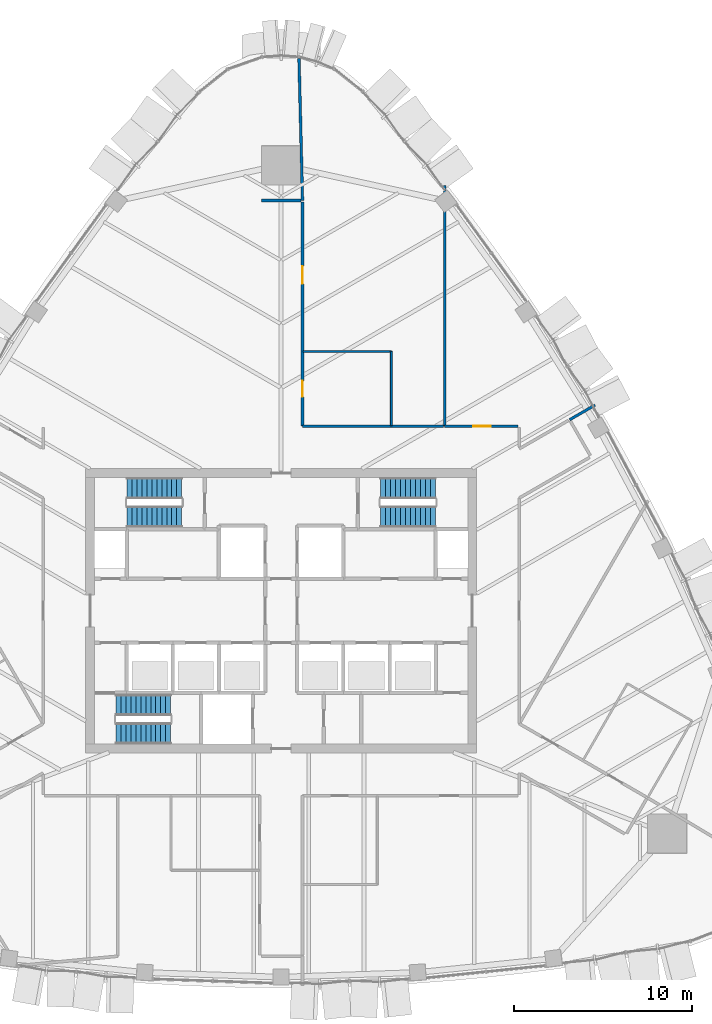
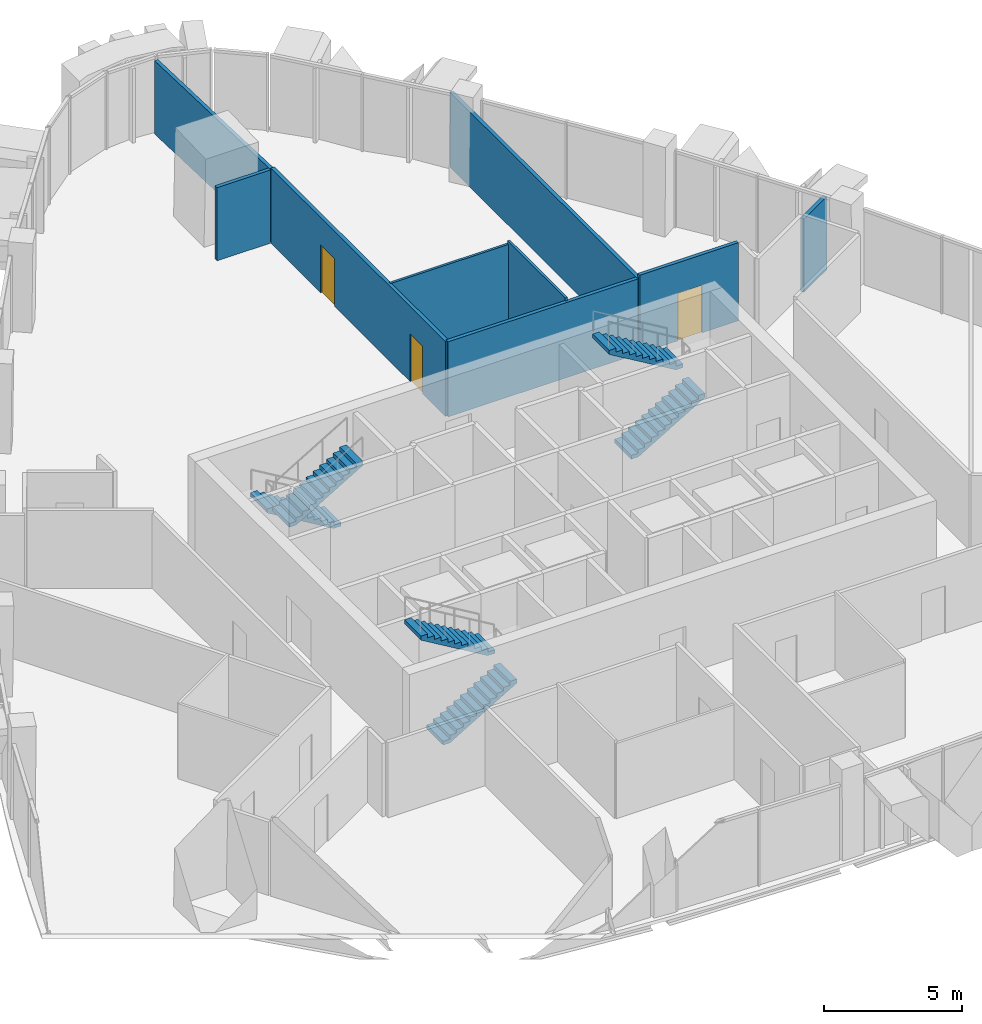
# One storey, part 14 of 18: 9 walls, 6 stair flights, 3 doors, 3 openings, 3 elements without a shape of their own.
"""IFC4 building model written with IfcOpenShell, lengths in metres."""

from ifc_helpers import new_model, si_unit, direction, frame, frame_2d, origin, place, context, subcontext, project, spatial, polyline, rectangle, outline, extrude, material, layer, layer_set, type_object, element, fill, aggregate, save


model = new_model("IFC4")

# Units and contexts
model_context = context("Model", 3, precision=1e-05, world=origin(), true_north=direction((0.0, 1.0)))
body_context = subcontext(model_context, "Body", "Model", "MODEL_VIEW")
ifc_project = project(units=[si_unit("LENGTHUNIT", "METRE"), si_unit("AREAUNIT", "SQUARE_METRE"), si_unit("VOLUMEUNIT", "CUBIC_METRE"), si_unit("PLANEANGLEUNIT", "RADIAN"), si_unit("MASSUNIT", "GRAM", prefix="KILO")], contexts=[model_context])

# Site, building, storey
site_placement = place(None, origin())
site = spatial("IfcSite", under=ifc_project, at=site_placement, CompositionType="ELEMENT")
building_placement = place(site_placement, origin())
building = spatial("IfcBuilding", under=site, at=building_placement, Name="Sierra Prisma Convention Tower", CompositionType="ELEMENT")
storey_placement = place(building_placement, frame((0.0, 0.0, 251.0)))
storey = spatial("IfcBuildingStorey", under=building, at=storey_placement, Name="L56", CompositionType="ELEMENT", Elevation=251.0)

# Walls
ifc_material_1 = material(Name="Gypsum board partition", Category="gypsum")
ifc_layer_1 = layer(ifc_material_1, 0.10009765625)
ifc_layer_set_1 = layer_set([ifc_layer_1], Name="Bathroom partition 100")
wall_type_1 = type_object("IfcWallType", Name="Bathroom partition 100", PredefinedType="PARTITIONING", material=ifc_layer_set_1)
wall_1_placement = place(storey_placement, frame((1.22998046875, 14.60009765625, 0.0), z_axis=(0.0, 0.0, 1.0), x_axis=(1.0, 0.0, 0.0)))
element("IfcWall", 1, at=wall_1_placement, inside=storey, type_object=wall_type_1, Name="Partition L56 bath 7", PredefinedType="PARTITIONING", context=body_context, shape_type="SweptSolid", body=[
    extrude(rectangle(XDim=4.969970703125, YDim=0.10009765625, at=frame_2d((2.48486328125, 0.0))), origin(), (0.0, 0.0, 1.0), 3.31689453125),
])
wall_2_placement = place(storey_placement, frame((6.199951171875, 14.60009765625, 0.0), z_axis=(0.0, 0.0, 1.0), x_axis=(0.0, -1.0, 0.0)))
element("IfcWall", 2, at=wall_2_placement, inside=storey, type_object=wall_type_1, Name="Partition L56 bath 8", PredefinedType="PARTITIONING", context=body_context, shape_type="SweptSolid", body=[
    extrude(rectangle(XDim=4.170166015625, YDim=0.10009765625, at=frame_2d((2.0849609375, 0.0))), origin(), (0.0, 0.0, 1.0), 3.449951171875),
])
ifc_material_2 = material(Name="Gypsum board partition", Category="gypsum")
ifc_layer_2 = layer(ifc_material_2, 0.14990234375)
ifc_layer_set_2 = layer_set([ifc_layer_2], Name="Corridor wall 150 gypsum EI 60")
wall_type_2 = type_object("IfcWallType", Name="Corridor wall 150 gypsum EI 60", PredefinedType="PARTITIONING", material=ifc_layer_set_2)
wall_3_placement = place(storey_placement, frame((1.1201171875, 23.096923828125, 0.0), z_axis=(0.0, 0.0, 1.0), x_axis=(-1.0, 0.0, 0.0)))
element("IfcWall", 3, at=wall_3_placement, inside=storey, type_object=wall_type_2, Name="Partition L56 corr 13", PredefinedType="PARTITIONING", context=body_context, shape_type="SweptSolid", body=[
    extrude(rectangle(XDim=2.240234375, YDim=0.14990234375, at=frame_2d((1.1201171875, 0.0))), origin(), (0.0, 0.0, 1.0), 3.23291015625),
])
wall_4_placement = place(storey_placement, frame((9.1201171875, 10.39990234375, 0.0), z_axis=(0.0, 0.0, 1.0), x_axis=(-1.0, 0.0, 0.0)))
element("IfcWall", 4, at=wall_4_placement, inside=storey, type_object=wall_type_2, Name="Partition L56 corr 16", PredefinedType="PARTITIONING", context=body_context, shape_type="SweptSolid", body=[
    extrude(rectangle(XDim=7.920166015625, YDim=0.14990234375, at=frame_2d((3.9599609375, 0.0))), origin(), (0.0, 0.0, 1.0), 3.31689453125),
])

# Wall, openings, doors
wall_5_placement = place(storey_placement, frame((1.199951171875, 10.39990234375, 0.0), z_axis=(0.0, 0.0, 1.0), x_axis=(0.0, 1.0, 0.0)))
wall_5 = element("IfcWall", 5, at=wall_5_placement, inside=storey, type_object=wall_type_2, Name="Partition L56 corr 17", PredefinedType="PARTITIONING", context=body_context, shape_type="SweptSolid", body=[
    extrude(rectangle(XDim=12.6171875, YDim=0.14990234375, at=frame_2d((6.30859375, 0.0))), origin(), (0.0, 0.0, 1.0), 3.31689453125),
])
opening_1_placement = place(wall_5_placement, frame((1.64990234375, 0.0, 0.0)))
opening_1 = element("IfcOpeningElement", 6, at=opening_1_placement, cuts=wall_5, Name="Opening L56-D027", PredefinedType="OPENING", context=body_context, shape_type="SweptSolid", body=[
    extrude(rectangle(XDim=0.89990234375, YDim=2.10009765625, at=frame_2d((0.449951171875, 1.050048828125))), frame((0.0, 0.074951171875, 0.0), z_axis=(0.0, -1.0, 0.0), x_axis=(1.0, 0.0, 0.0)), (0.0, 0.0, 1.0), 0.14990234375),
])
opening_2_placement = place(wall_5_placement, frame((8.008544921875, 0.0, 0.0)))
opening_2 = element("IfcOpeningElement", 7, at=opening_2_placement, cuts=wall_5, Name="Opening L56-D028", PredefinedType="OPENING", context=body_context, shape_type="SweptSolid", body=[
    extrude(rectangle(XDim=1.0, YDim=2.10009765625, at=frame_2d((0.5, 1.050048828125))), frame((0.0, 0.074951171875, 0.0), z_axis=(0.0, -1.0, 0.0), x_axis=(1.0, 0.0, 0.0)), (0.0, 0.0, 1.0), 0.14990234375),
])
ifc_material_3 = material(Name="Steel fire door leaf", Category="steel")
door_type_1 = type_object("IfcDoorType", Name="Door 1000x2100 FD30S", OperationType="SINGLE_SWING_LEFT", PredefinedType="DOOR", material=ifc_material_3)
door_1_placement = place(opening_2_placement, origin())
door_1 = element("IfcDoor", 8, at=door_1_placement, inside=storey, type_object=door_type_1, Name="Door L56 4", OperationType="SINGLE_SWING_LEFT", OverallHeight=2.10009765625, OverallWidth=1.0, PredefinedType="DOOR", context=body_context, shape_type="SweptSolid", body=[
    extrude(rectangle(XDim=1.0, YDim=2.10009765625, at=frame_2d((0.5, 1.050048828125))), frame((0.0, 0.02490234375, 0.0), z_axis=(0.0, -1.0, 0.0), x_axis=(1.0, 0.0, 0.0)), (0.0, 0.0, 1.0), 0.050048828125),
])
fill(opening_2, door_1)
ifc_material_4 = material(Name="Steel fire door leaf", Category="steel")
door_type_2 = type_object("IfcDoorType", Name="Door 900x2100 FD30S", OperationType="SINGLE_SWING_LEFT", PredefinedType="DOOR", material=ifc_material_4)
door_2_placement = place(opening_1_placement, origin())
door_2 = element("IfcDoor", 9, at=door_2_placement, inside=storey, type_object=door_type_2, Name="Door L56 3", OperationType="SINGLE_SWING_LEFT", OverallHeight=2.10009765625, OverallWidth=0.89990234375, PredefinedType="DOOR", context=body_context, shape_type="SweptSolid", body=[
    extrude(rectangle(XDim=0.89990234375, YDim=2.10009765625, at=frame_2d((0.449951171875, 1.050048828125))), frame((0.0, 0.02490234375, 0.0), z_axis=(0.0, -1.0, 0.0), x_axis=(1.0, 0.0, 0.0)), (0.0, 0.0, 1.0), 0.050048828125),
])
fill(opening_1, door_2)

# Wall, opening, door
wall_6_placement = place(storey_placement, frame((13.320068359375, 10.39990234375, 0.0), z_axis=(0.0, 0.0, 1.0), x_axis=(-1.0, 0.0, 0.0)))
wall_6 = element("IfcWall", 10, at=wall_6_placement, inside=storey, type_object=wall_type_2, Name="Partition L56 corr 18", PredefinedType="PARTITIONING", context=body_context, shape_type="SweptSolid", body=[
    extrude(rectangle(XDim=4.1201171875, YDim=0.14990234375, at=frame_2d((2.06005859375, 0.0))), origin(), (0.0, 0.0, 1.0), 3.449951171875),
])
opening_3_placement = place(wall_6_placement, frame((1.52001953125, 0.0, 0.0)))
opening_3 = element("IfcOpeningElement", 11, at=opening_3_placement, cuts=wall_6, Name="Opening L56-D026", PredefinedType="OPENING", context=body_context, shape_type="SweptSolid", body=[
    extrude(rectangle(XDim=1.0, YDim=2.10009765625, at=frame_2d((0.5, 1.050048828125))), frame((0.0, 0.074951171875, 0.0), z_axis=(0.0, -1.0, 0.0), x_axis=(1.0, 0.0, 0.0)), (0.0, 0.0, 1.0), 0.14990234375),
])
door_3_placement = place(opening_3_placement, origin())
door_3 = element("IfcDoor", 12, at=door_3_placement, inside=storey, type_object=door_type_1, Name="Door L56 2", OperationType="SINGLE_SWING_LEFT", OverallHeight=2.10009765625, OverallWidth=1.0, PredefinedType="DOOR", context=body_context, shape_type="SweptSolid", body=[
    extrude(rectangle(XDim=1.0, YDim=2.10009765625, at=frame_2d((0.5, 1.050048828125))), frame((0.0, 0.02490234375, 0.0), z_axis=(0.0, -1.0, 0.0), x_axis=(1.0, 0.0, 0.0)), (0.0, 0.0, 1.0), 0.050048828125),
])
fill(opening_3, door_3)

# Walls
ifc_material_5 = material(Name="Gypsum board partition", Category="gypsum")
ifc_layer_3 = layer(ifc_material_5, 0.14990234375)
ifc_layer_set_3 = layer_set([ifc_layer_3], Name="Party wall 150 gypsum")
wall_type_3 = type_object("IfcWallType", Name="Party wall 150 gypsum", PredefinedType="PARTITIONING", material=ifc_layer_set_3)
wall_7_placement = place(storey_placement, frame((1.199951171875, 23.096923828125, 0.0), z_axis=(0.0, 0.0, 1.0), x_axis=(-0.024952511821, 0.999688637604, 0.0)))
element("IfcWall", 13, at=wall_7_placement, inside=storey, type_object=wall_type_3, Name="Partition L56 party 8", PredefinedType="PARTITIONING", context=body_context, shape_type="SweptSolid", body=[
    extrude(rectangle(XDim=7.99365234375, YDim=0.14990234375, at=frame_2d((3.996826171875, 0.0))), origin(), (0.0, 0.0, 1.0), 3.23388671875),
])
wall_8_placement = place(storey_placement, frame((9.199951171875, 10.39990234375, 0.0), z_axis=(0.0, 0.0, 1.0), x_axis=(0.0, 1.0, 0.0)))
element("IfcWall", 14, at=wall_8_placement, inside=storey, type_object=wall_type_3, Name="Partition L56 party 9", PredefinedType="PARTITIONING", context=body_context, shape_type="SweptSolid", body=[
    extrude(rectangle(XDim=13.53271484375, YDim=0.14990234375, at=frame_2d((6.766357421875, 0.0))), origin(), (0.0, 0.0, 1.0), 3.31689453125),
])
wall_9_placement = place(storey_placement, frame((16.230712890625, 10.75634765625, 0.0), z_axis=(0.0, 0.0, 1.0), x_axis=(0.865966208357, 0.500102515474, 0.0)))
element("IfcWall", 15, at=wall_9_placement, inside=storey, type_object=wall_type_3, Name="Partition L56 party 11", PredefinedType="PARTITIONING", context=body_context, shape_type="SweptSolid", body=[
    extrude(rectangle(XDim=1.649658203125, YDim=0.14990234375, at=frame_2d((0.82470703125, 0.0))), origin(), (0.0, 0.0, 1.0), 3.23388671875),
])

# Stair, stair flights
ifc_material_6 = material(Name="Concrete C30/37", Category="concrete")
stair_type = type_object("IfcStairType", Name="Stair dog-leg 1200 RC", PredefinedType="HALF_TURN_STAIR", material=ifc_material_6)
stair_1_placement = place(storey_placement, origin())
stair_1 = element("IfcStair", 16, at=stair_1_placement, inside=storey, type_object=stair_type, Name="L56 S1", PredefinedType="HALF_TURN_STAIR")
ifc_material_7 = material(Name="Concrete C30/37", Category="concrete")
stair_flight_type = type_object("IfcStairFlightType", Name="Stair flight RC 1200", PredefinedType="STRAIGHT", material=ifc_material_7)
stair_flight_1_placement = place(storey_placement, frame((-9.300048828125, -6.89990234375, 0.0), z_axis=(0.0, 0.0, 1.0), x_axis=(1.0, 0.0, 0.0)))
stair_flight_1 = element("IfcStairFlight", 17, at=stair_flight_1_placement, type_object=stair_flight_type, Name="S1 flight 1", NumberOfRisers=12, NumberOfTreads=11, PredefinedType="STRAIGHT", RiserHeight=0.166666667, TreadLength=0.28, context=body_context, shape_type="SweptSolid", body=[
    extrude(outline(polyline([(0.0, 0.0), (0.0, 0.166748046875), (0.280029296875, 0.166748046875), (0.280029296875, 0.333251953125), (0.56005859375, 0.333251953125), (0.56005859375, 0.5), (0.840087890625, 0.5), (0.840087890625, 0.666748046875), (1.1201171875, 0.666748046875), (1.1201171875, 0.833251953125), (1.39990234375, 0.833251953125), (1.39990234375, 1.0), (1.679931640625, 1.0), (1.679931640625, 1.166748046875), (1.9599609375, 1.166748046875), (1.9599609375, 1.333251953125), (2.239990234375, 1.333251953125), (2.239990234375, 1.5), (2.52001953125, 1.5), (2.52001953125, 1.666748046875), (2.800048828125, 1.666748046875), (2.800048828125, 1.833251953125), (3.080078125, 1.833251953125), (3.080078125, 2.0), (3.080078125, 1.658935546875), (0.29296875, 0.0), (0.0, 0.0)])), frame((0.0, 0.60009765625, 0.0), z_axis=(0.0, -1.0, 0.0), x_axis=(1.0, 0.0, 0.0)), (0.0, 0.0, 1.0), 1.199951171875),
])
stair_flight_2_placement = place(storey_placement, frame((-6.219970703125, -5.300048828125, 2.0), z_axis=(0.0, 0.0, 1.0), x_axis=(-1.0, 0.0, 0.0)))
stair_flight_2 = element("IfcStairFlight", 18, at=stair_flight_2_placement, type_object=stair_flight_type, Name="S1 flight 2", NumberOfRisers=12, NumberOfTreads=11, PredefinedType="STRAIGHT", RiserHeight=0.166666667, TreadLength=0.28, context=body_context, shape_type="SweptSolid", body=[
    extrude(outline(polyline([(0.0, 0.0), (0.0, 0.166748046875), (0.280029296875, 0.166748046875), (0.280029296875, 0.333251953125), (0.56005859375, 0.333251953125), (0.56005859375, 0.5), (0.840087890625, 0.5), (0.840087890625, 0.666748046875), (1.1201171875, 0.666748046875), (1.1201171875, 0.833251953125), (1.39990234375, 0.833251953125), (1.39990234375, 1.0), (1.679931640625, 1.0), (1.679931640625, 1.166748046875), (1.9599609375, 1.166748046875), (1.9599609375, 1.333251953125), (2.239990234375, 1.333251953125), (2.239990234375, 1.5), (2.52001953125, 1.5), (2.52001953125, 1.666748046875), (2.800048828125, 1.666748046875), (2.800048828125, 1.833251953125), (3.080078125, 1.833251953125), (3.080078125, 2.0), (3.080078125, 1.658935546875), (0.29296875, 0.0), (0.0, 0.0)])), frame((0.0, 0.60009765625, 0.0), z_axis=(0.0, -1.0, 0.0), x_axis=(1.0, 0.0, 0.0)), (0.0, 0.0, 1.0), 1.199951171875),
])
aggregate(stair_1, [stair_flight_1, stair_flight_2])

stair_2_placement = place(storey_placement, origin())
stair_2 = element("IfcStair", 19, at=stair_2_placement, inside=storey, type_object=stair_type, Name="L56 S3", PredefinedType="HALF_TURN_STAIR")
stair_flight_3_placement = place(storey_placement, frame((-5.60009765625, 6.89990234375, 0.0), z_axis=(0.0, 0.0, 1.0), x_axis=(-1.0, 0.0, 0.0)))
stair_flight_3 = element("IfcStairFlight", 20, at=stair_flight_3_placement, type_object=stair_flight_type, Name="S3 flight 1", NumberOfRisers=12, NumberOfTreads=11, PredefinedType="STRAIGHT", RiserHeight=0.166666667, TreadLength=0.28, context=body_context, shape_type="SweptSolid", body=[
    extrude(outline(polyline([(0.0, 0.0), (0.0, 0.166748046875), (0.280029296875, 0.166748046875), (0.280029296875, 0.333251953125), (0.56005859375, 0.333251953125), (0.56005859375, 0.5), (0.840087890625, 0.5), (0.840087890625, 0.666748046875), (1.1201171875, 0.666748046875), (1.1201171875, 0.833251953125), (1.39990234375, 0.833251953125), (1.39990234375, 1.0), (1.679931640625, 1.0), (1.679931640625, 1.166748046875), (1.9599609375, 1.166748046875), (1.9599609375, 1.333251953125), (2.239990234375, 1.333251953125), (2.239990234375, 1.5), (2.52001953125, 1.5), (2.52001953125, 1.666748046875), (2.800048828125, 1.666748046875), (2.800048828125, 1.833251953125), (3.080078125, 1.833251953125), (3.080078125, 2.0), (3.080078125, 1.658935546875), (0.29296875, 0.0), (0.0, 0.0)])), frame((0.0, 0.60009765625, 0.0), z_axis=(0.0, -1.0, 0.0), x_axis=(1.0, 0.0, 0.0)), (0.0, 0.0, 1.0), 1.199951171875),
])
stair_flight_4_placement = place(storey_placement, frame((-8.679931640625, 5.300048828125, 2.0), z_axis=(0.0, 0.0, 1.0), x_axis=(1.0, 0.0, 0.0)))
stair_flight_4 = element("IfcStairFlight", 21, at=stair_flight_4_placement, type_object=stair_flight_type, Name="S3 flight 2", NumberOfRisers=12, NumberOfTreads=11, PredefinedType="STRAIGHT", RiserHeight=0.166666667, TreadLength=0.28, context=body_context, shape_type="SweptSolid", body=[
    extrude(outline(polyline([(0.0, 0.0), (0.0, 0.166748046875), (0.280029296875, 0.166748046875), (0.280029296875, 0.333251953125), (0.56005859375, 0.333251953125), (0.56005859375, 0.5), (0.840087890625, 0.5), (0.840087890625, 0.666748046875), (1.1201171875, 0.666748046875), (1.1201171875, 0.833251953125), (1.39990234375, 0.833251953125), (1.39990234375, 1.0), (1.679931640625, 1.0), (1.679931640625, 1.166748046875), (1.9599609375, 1.166748046875), (1.9599609375, 1.333251953125), (2.239990234375, 1.333251953125), (2.239990234375, 1.5), (2.52001953125, 1.5), (2.52001953125, 1.666748046875), (2.800048828125, 1.666748046875), (2.800048828125, 1.833251953125), (3.080078125, 1.833251953125), (3.080078125, 2.0), (3.080078125, 1.658935546875), (0.29296875, 0.0), (0.0, 0.0)])), frame((0.0, 0.60009765625, 0.0), z_axis=(0.0, -1.0, 0.0), x_axis=(1.0, 0.0, 0.0)), (0.0, 0.0, 1.0), 1.199951171875),
])
aggregate(stair_2, [stair_flight_3, stair_flight_4])

stair_3_placement = place(storey_placement, origin())
stair_3 = element("IfcStair", 22, at=stair_3_placement, inside=storey, type_object=stair_type, Name="L56 S4", PredefinedType="HALF_TURN_STAIR")
stair_flight_5_placement = place(storey_placement, frame((5.60009765625, 5.300048828125, 0.0), z_axis=(0.0, 0.0, 1.0), x_axis=(1.0, 0.0, 0.0)))
stair_flight_5 = element("IfcStairFlight", 23, at=stair_flight_5_placement, type_object=stair_flight_type, Name="S4 flight 1", NumberOfRisers=12, NumberOfTreads=11, PredefinedType="STRAIGHT", RiserHeight=0.166666667, TreadLength=0.28, context=body_context, shape_type="SweptSolid", body=[
    extrude(outline(polyline([(0.0, 0.0), (0.0, 0.166748046875), (0.280029296875, 0.166748046875), (0.280029296875, 0.333251953125), (0.56005859375, 0.333251953125), (0.56005859375, 0.5), (0.840087890625, 0.5), (0.840087890625, 0.666748046875), (1.1201171875, 0.666748046875), (1.1201171875, 0.833251953125), (1.39990234375, 0.833251953125), (1.39990234375, 1.0), (1.679931640625, 1.0), (1.679931640625, 1.166748046875), (1.9599609375, 1.166748046875), (1.9599609375, 1.333251953125), (2.239990234375, 1.333251953125), (2.239990234375, 1.5), (2.52001953125, 1.5), (2.52001953125, 1.666748046875), (2.800048828125, 1.666748046875), (2.800048828125, 1.833251953125), (3.080078125, 1.833251953125), (3.080078125, 2.0), (3.080078125, 1.658935546875), (0.29296875, 0.0), (0.0, 0.0)])), frame((0.0, 0.60009765625, 0.0), z_axis=(0.0, -1.0, 0.0), x_axis=(1.0, 0.0, 0.0)), (0.0, 0.0, 1.0), 1.199951171875),
])
stair_flight_6_placement = place(storey_placement, frame((8.679931640625, 6.89990234375, 2.0), z_axis=(0.0, 0.0, 1.0), x_axis=(-1.0, 0.0, 0.0)))
stair_flight_6 = element("IfcStairFlight", 24, at=stair_flight_6_placement, type_object=stair_flight_type, Name="S4 flight 2", NumberOfRisers=12, NumberOfTreads=11, PredefinedType="STRAIGHT", RiserHeight=0.166666667, TreadLength=0.28, context=body_context, shape_type="SweptSolid", body=[
    extrude(outline(polyline([(0.0, 0.0), (0.0, 0.166748046875), (0.280029296875, 0.166748046875), (0.280029296875, 0.333251953125), (0.56005859375, 0.333251953125), (0.56005859375, 0.5), (0.840087890625, 0.5), (0.840087890625, 0.666748046875), (1.1201171875, 0.666748046875), (1.1201171875, 0.833251953125), (1.39990234375, 0.833251953125), (1.39990234375, 1.0), (1.679931640625, 1.0), (1.679931640625, 1.166748046875), (1.9599609375, 1.166748046875), (1.9599609375, 1.333251953125), (2.239990234375, 1.333251953125), (2.239990234375, 1.5), (2.52001953125, 1.5), (2.52001953125, 1.666748046875), (2.800048828125, 1.666748046875), (2.800048828125, 1.833251953125), (3.080078125, 1.833251953125), (3.080078125, 2.0), (3.080078125, 1.658935546875), (0.29296875, 0.0), (0.0, 0.0)])), frame((0.0, 0.60009765625, 0.0), z_axis=(0.0, -1.0, 0.0), x_axis=(1.0, 0.0, 0.0)), (0.0, 0.0, 1.0), 1.199951171875),
])
aggregate(stair_3, [stair_flight_5, stair_flight_6])

save(model, "model.ifc")
